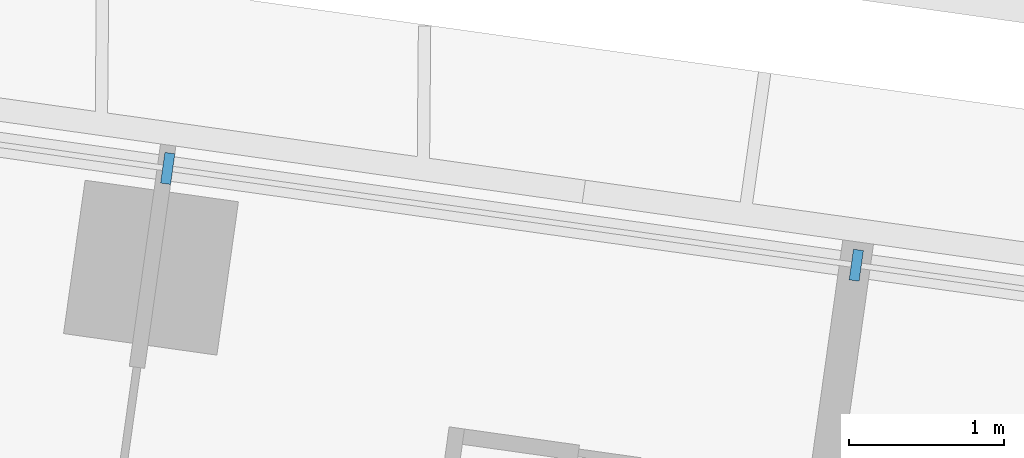
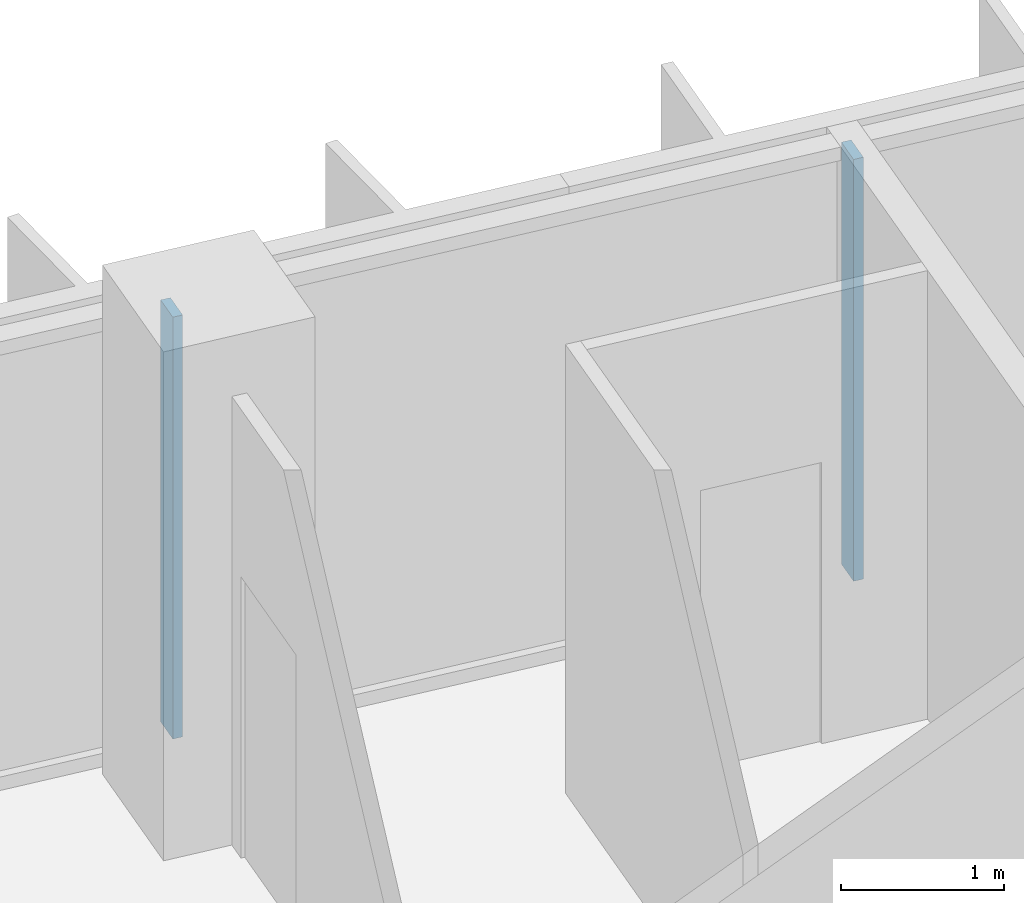
# One storey, part 10 of 49: 2 members, 1 element without a shape of its own.
"""IFC4 building model written with IfcOpenShell, lengths in metres."""

import ifcopenshell
import ifcopenshell.guid

model = None  # the IFC model being written
_history = None  # IfcOwnerHistory: only IFC2X3 demands one
_inside = {}  # id of a spatial element -> (the spatial element, [elements in it])
_under = {}  # id of a project, library or spatial element -> (it, [spatial elements below it])
_declared = {}  # id of a project -> (the project, [libraries it declares])
_typed = {}  # id of a type object -> (the type object, [elements of that type])
_made_of = {}  # id of a material, layer set ... -> (it, [elements and type objects made of it])


def new_model(schema):
    """Start an empty IFC model of exactly this schema.

    Asked for "IFC4X3", IfcOpenShell would pick the latest addendum, in which some entities
    have other attributes; the version numbers below select the first issue.
    IFC2X3 requires an IfcOwnerHistory on every rooted entity: one is made here for all.
    """
    global model, _history
    if schema == "IFC4X3":
        model = ifcopenshell.file(schema_version=(4, 3, 0, 0))
    else:
        model = ifcopenshell.file(schema=schema)
    _inside.clear()
    _under.clear()
    _declared.clear()
    _typed.clear()
    _made_of.clear()
    _history = None
    if model.schema == "IFC2X3":
        org = make("IfcOrganization", Name="unknown")
        user = make(
            "IfcPersonAndOrganization",
            ThePerson=make("IfcPerson", FamilyName="unknown"),
            TheOrganization=org,
        )
        app = make(
            "IfcApplication",
            ApplicationDeveloper=org,
            Version="unknown",
            ApplicationFullName="unknown",
            ApplicationIdentifier="unknown",
        )
        _history = make(
            "IfcOwnerHistory",
            OwningUser=user,
            OwningApplication=app,
            ChangeAction="ADDED",
            CreationDate=0,
        )
    return model


def make(cls, **values):
    """One entity of the class cls with the attributes given. An attribute that is None is left unset."""
    return model.create_entity(
        cls, **{name: value for name, value in values.items() if value is not None}
    )


def rooted(cls, **values):
    """An entity with a GlobalId (a new one), such as an element, a storey or a relation."""
    return make(cls, GlobalId=ifcopenshell.guid.new(), OwnerHistory=_history, **values)


def si_unit(unit_type, name, prefix=None):
    """IfcSIUnit, for example si_unit("LENGTHUNIT", "METRE", prefix="MILLI")."""
    return make("IfcSIUnit", UnitType=unit_type, Prefix=prefix, Name=name)


def assignment(units):
    """IfcUnitAssignment: the units of a project."""
    return None if units is None else make("IfcUnitAssignment", Units=units)


def point(xyz):
    """IfcCartesianPoint."""
    return None if xyz is None else make("IfcCartesianPoint", Coordinates=xyz)


def direction(xyz):
    """IfcDirection."""
    return None if xyz is None else make("IfcDirection", DirectionRatios=xyz)


def frame(location, z_axis=None, x_axis=None):
    """IfcAxis2Placement3D, a coordinate frame: its origin and axes. An axis left out is left unset."""
    return make(
        "IfcAxis2Placement3D",
        Location=point(location),
        Axis=direction(z_axis),
        RefDirection=direction(x_axis),
    )


def frame_2d(location, x_axis=None):
    """IfcAxis2Placement2D, a coordinate frame in the plane: its origin and x axis."""
    return make(
        "IfcAxis2Placement2D", Location=point(location), RefDirection=direction(x_axis)
    )


def origin():
    """The frame at (0, 0, 0) with its axes left unset."""
    return frame((0.0, 0.0, 0.0))


def origin_2d():
    """The frame at (0, 0) in the plane with its x axis left unset."""
    return frame_2d((0.0, 0.0))


def place(relative_to, where):
    """IfcLocalPlacement: puts the frame where relative to a parent placement (None: the world)."""
    return make(
        "IfcLocalPlacement", PlacementRelTo=relative_to, RelativePlacement=where
    )


def context(
    kind, dimensions, precision=None, world=None, true_north=None, identifier=None
):
    """IfcGeometricRepresentationContext, for example the 3D "Model" context."""
    return make(
        "IfcGeometricRepresentationContext",
        ContextIdentifier=identifier,
        ContextType=kind,
        CoordinateSpaceDimension=dimensions,
        Precision=precision,
        WorldCoordinateSystem=world,
        TrueNorth=true_north,
    )


def subcontext(parent, identifier, kind, view, scale=None):
    """IfcGeometricRepresentationSubContext, for example "Body" below "Model"."""
    return make(
        "IfcGeometricRepresentationSubContext",
        ContextIdentifier=identifier,
        ContextType=kind,
        ParentContext=parent,
        TargetScale=scale,
        TargetView=view,
    )


def project(units=None, contexts=None):
    """IfcProject with its units and contexts."""
    return rooted(
        "IfcProject",
        Name="project",
        RepresentationContexts=contexts,
        UnitsInContext=assignment(units),
    )


def spatial(cls, under=None, at=None, **own):
    """A site, building, storey or space (cls), placed at a placement, below another one or the project."""
    s = rooted(cls, ObjectPlacement=at, **own)
    if under is not None:
        _under.setdefault(under.id(), (under, []))[1].append(s)
    return s


def profile(cls, at=None, kind="AREA", **sizes):
    """A parametric profile (cls). Its sizes go by their IFC names, for example OverallWidth=200.0."""
    return make(cls, ProfileType=kind, Position=at, **sizes)


def rectangle(**sizes):
    """IfcRectangleProfileDef."""
    return profile("IfcRectangleProfileDef", **sizes)


def extrude(swept, where, along, depth):
    """IfcExtrudedAreaSolid: the profile swept, set in the frame where, extruded along a direction by depth."""
    return make(
        "IfcExtrudedAreaSolid",
        SweptArea=swept,
        Position=where,
        ExtrudedDirection=direction(along),
        Depth=depth,
    )


def shape(context_of_items, identifier, shape_type, items):
    """IfcShapeRepresentation: the items that make up one representation, for example the "Body"."""
    return make(
        "IfcShapeRepresentation",
        ContextOfItems=context_of_items,
        RepresentationIdentifier=identifier,
        RepresentationType=shape_type,
        Items=items,
    )


def material(Name=None, Category=None):
    """IfcMaterial."""
    return make("IfcMaterial", Name=Name, Category=Category)


def material_profile(
    of_material, cross_section, Name=None, Category=None, Priority=None
):
    """IfcMaterialProfile: a cross section and its material."""
    return make(
        "IfcMaterialProfile",
        Name=Name,
        Material=of_material,
        Profile=cross_section,
        Priority=Priority,
        Category=Category,
    )


def profile_set(profiles, Name=None, composite=None):
    """IfcMaterialProfileSet."""
    return make(
        "IfcMaterialProfileSet",
        Name=Name,
        MaterialProfiles=profiles,
        CompositeProfile=composite,
    )


def made_of(thing, what):
    """Note that an element or type object is made of a material, layer set ...; save() writes the relation."""
    if what is not None:
        _made_of.setdefault(what.id(), (what, []))[1].append(thing)
    return thing


def type_object(cls, material=None, **own):
    """A type object (cls), such as IfcWallType, which elements share."""
    return made_of(rooted(cls, **own), material)


def element(
    cls,
    number,
    at=None,
    inside=None,
    cuts=None,
    type_object=None,
    material=None,
    context=None,
    identifier="Body",
    shape_type=None,
    held_by="IfcProductDefinitionShape",
    body=None,
    shapes=None,
    **own,
):
    """One element of the class cls, such as IfcWall. Its Tag is "e" and its number.

    at: its placement. inside: the storey or other place that contains it. cuts: it is an
    opening in that element (IfcRelVoidsElement). A single representation is given by context,
    identifier, shape_type and body (its items); several are given by shapes. held_by: the class
    of the entity that holds the representations. save() writes the other relations.
    """
    e = rooted(cls, Tag="e%d" % number, ObjectPlacement=at, **own)
    if body is not None:
        shapes = [shape(context, identifier, shape_type, body)]
    if shapes is not None:
        e.Representation = make(held_by, Representations=shapes)
    if inside is not None:
        _inside.setdefault(inside.id(), (inside, []))[1].append(e)
    if cuts is not None:
        rooted(
            "IfcRelVoidsElement", RelatingBuildingElement=cuts, RelatedOpeningElement=e
        )
    if type_object is not None:
        _typed.setdefault(type_object.id(), (type_object, []))[1].append(e)
    return made_of(e, material)


def aggregate(whole, parts):
    """IfcRelAggregates: a whole, such as a stair, and the parts it consists of."""
    return rooted("IfcRelAggregates", RelatingObject=whole, RelatedObjects=parts)


def save(model, path):
    """Write the relations noted so far, then the file.

    IfcRelAggregates (storeys below a building ...), IfcRelContainedInSpatialStructure (elements
    in a storey), IfcRelDefinesByType, IfcRelAssociatesMaterial and IfcRelDeclares: one each for
    every whole, place, type object, material and project.
    """
    for whole, parts in _under.values():
        aggregate(whole, parts)
    for where, things in _inside.values():
        rooted(
            "IfcRelContainedInSpatialStructure",
            RelatedElements=things,
            RelatingStructure=where,
        )
    for kind, things in _typed.values():
        rooted("IfcRelDefinesByType", RelatedObjects=things, RelatingType=kind)
    for what, things in _made_of.values():
        rooted("IfcRelAssociatesMaterial", RelatedObjects=things, RelatingMaterial=what)
    for by, libraries in _declared.values():
        rooted("IfcRelDeclares", RelatingContext=by, RelatedDefinitions=libraries)
    model.write(path)


model = new_model("IFC4")

# Units and contexts
model_context = context("Model", 3, precision=1e-05, world=origin(), true_north=direction((0.0, 1.0)))
body_context = subcontext(model_context, "Body", "Model", "MODEL_VIEW")
ifc_project = project(units=[si_unit("LENGTHUNIT", "METRE"), si_unit("AREAUNIT", "SQUARE_METRE"), si_unit("VOLUMEUNIT", "CUBIC_METRE"), si_unit("PLANEANGLEUNIT", "RADIAN"), si_unit("MASSUNIT", "GRAM", prefix="KILO")], contexts=[model_context])

# Site, building, storey
site_placement = place(None, origin())
site = spatial("IfcSite", under=ifc_project, at=site_placement, CompositionType="ELEMENT")
building_placement = place(site_placement, origin())
building = spatial("IfcBuilding", under=site, at=building_placement, Name="Mirante Cascada Hotel Towers", CompositionType="ELEMENT")
storey_placement = place(building_placement, frame((0.0, 0.0, 66.1)))
storey = spatial("IfcBuildingStorey", under=building, at=storey_placement, Name="L13", CompositionType="ELEMENT", Elevation=66.1)

# Curtain wall, members
ifc_material_1 = material(Name="Aluminium mullion and transom frame with clear laminated glass", Category="aluminium")
curtain_wall_type = type_object("IfcCurtainWallType", Name="Ribbon curtain wall ECW1", PredefinedType="NOTDEFINED", material=ifc_material_1)
curtain_wall_placement = place(storey_placement, origin())
curtain_wall = element("IfcCurtainWall", 1, at=curtain_wall_placement, inside=storey, type_object=curtain_wall_type, Name="Front ribbon wall T1 L13", PredefinedType="NOTDEFINED")
ifc_material_2 = material(Name="Anodised aluminium extrusion", Category="aluminium")
ifc_material_profile = material_profile(ifc_material_2, rectangle(XDim=0.2, YDim=0.065, at=origin_2d()), Name="ECW1 MULLION 65x200")
ifc_profile_set = profile_set([ifc_material_profile], Name="Anodised aluminium extrusion")
member_type = type_object("IfcMemberType", Name="ECW1 mullion 65x200", PredefinedType="MULLION", material=ifc_profile_set)
member_1_placement = place(storey_placement, frame((-71.9211, 22.9269, 0.1), z_axis=(0.0, 0.0, 1.0), x_axis=(0.1391731, 0.9902681, 0.0)))
member_1 = element("IfcMember", 2, at=member_1_placement, type_object=member_type, Name="ECW1 mullion 6", PredefinedType="MULLION", context=body_context, shape_type="SweptSolid", body=[
    extrude(rectangle(XDim=0.2, YDim=0.065, at=origin_2d()), origin(), (0.0, 0.0, 1.0), 3.15),
])
member_2_placement = place(storey_placement, frame((-67.4737, 22.3018, 0.1), z_axis=(0.0, 0.0, 1.0), x_axis=(0.1391731, 0.9902681, 0.0)))
member_2 = element("IfcMember", 3, at=member_2_placement, type_object=member_type, Name="ECW1 mullion 7", PredefinedType="MULLION", context=body_context, shape_type="SweptSolid", body=[
    extrude(rectangle(XDim=0.2, YDim=0.065, at=origin_2d()), origin(), (0.0, 0.0, 1.0), 3.15),
])
aggregate(curtain_wall, [member_1, member_2])

save(model, "model.ifc")
